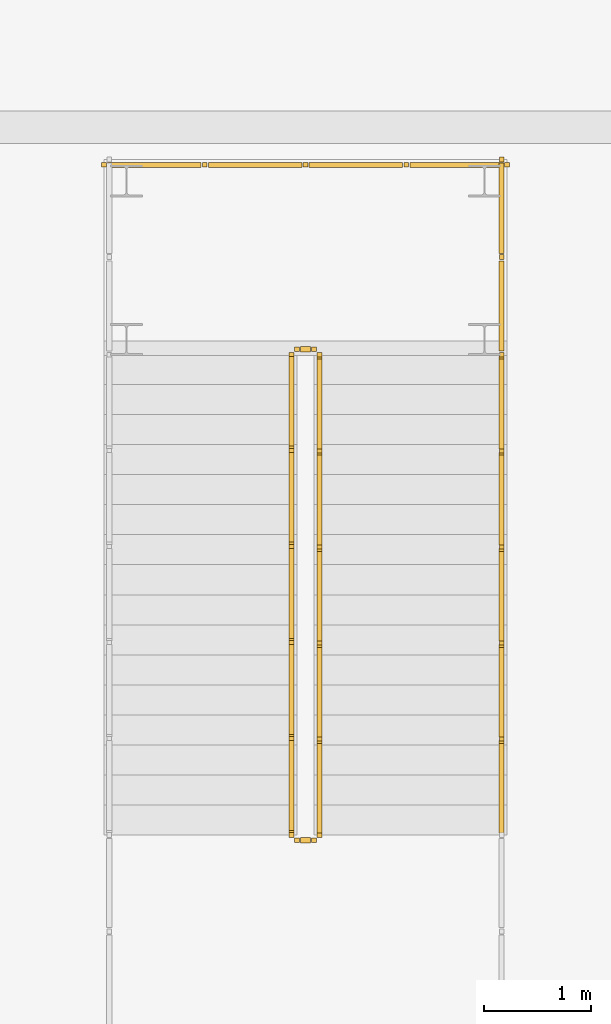
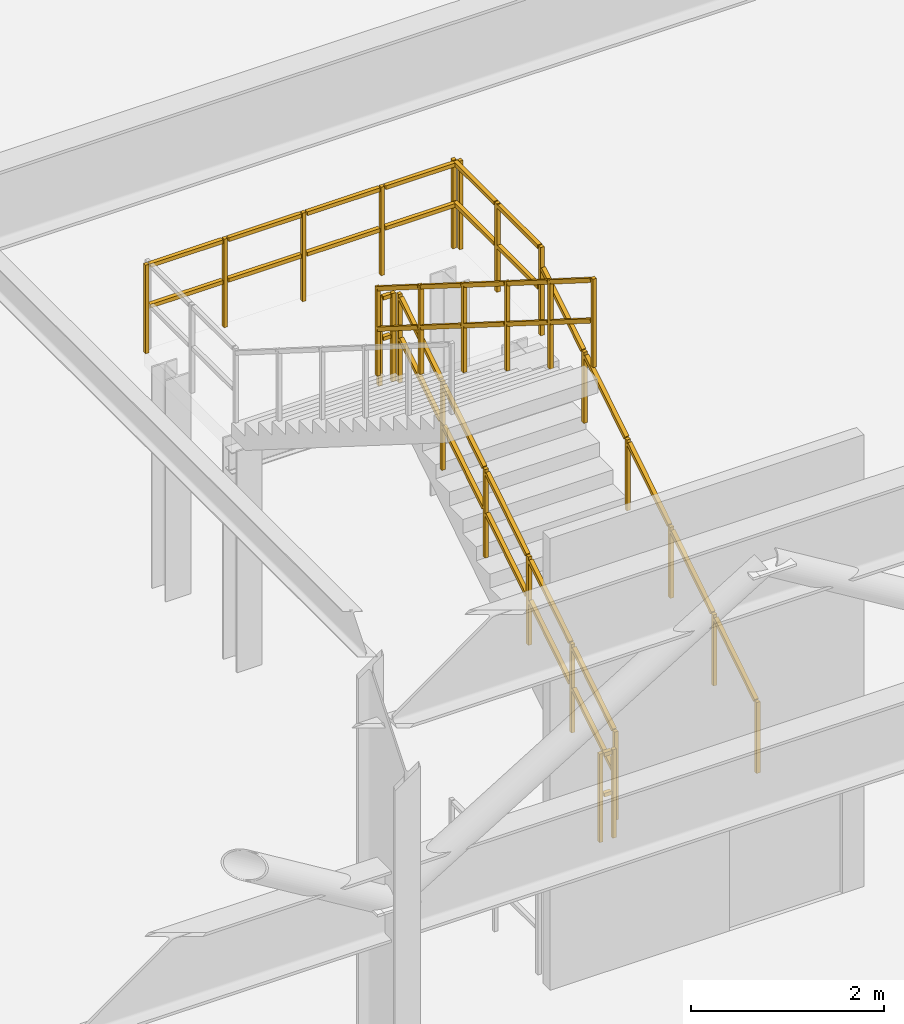
# One storey, part 89 of 113: 7 railings.
"""IFC4 building model written with IfcOpenShell, lengths in metres."""

from ifc_helpers import new_model, si_unit, direction, frame, origin, origin_2d, place, context, subcontext, project, spatial, rectangle, extrude, material, type_object, element, save


model = new_model("IFC4")

# Units and contexts
model_context = context("Model", 3, precision=1e-05, world=origin(), true_north=direction((0.0, 1.0)))
body_context = subcontext(model_context, "Body", "Model", "MODEL_VIEW")
ifc_project = project(units=[si_unit("LENGTHUNIT", "METRE"), si_unit("AREAUNIT", "SQUARE_METRE"), si_unit("VOLUMEUNIT", "CUBIC_METRE"), si_unit("PLANEANGLEUNIT", "RADIAN"), si_unit("MASSUNIT", "GRAM", prefix="KILO")], contexts=[model_context])

# Site, building, storey
site_placement = place(None, origin())
site = spatial("IfcSite", under=ifc_project, at=site_placement, CompositionType="ELEMENT")
building_placement = place(site_placement, origin())
building = spatial("IfcBuilding", under=site, at=building_placement, Name="Myrtia Square Station", CompositionType="ELEMENT")
storey_placement = place(building_placement, origin())
storey = spatial("IfcBuildingStorey", under=building, at=storey_placement, Name="L00", CompositionType="ELEMENT", Elevation=0.0)

# Railings
ifc_material_1 = material(Name="Dark bronze anodised aluminium", Category="aluminium")
railing_type_1 = type_object("IfcRailingType", Name="RL-HANDRAIL-900", PredefinedType="HANDRAIL", material=ifc_material_1)
railing_1_placement = place(storey_placement, frame((51.14990234375, 70.199951171875, 0.176513671875)))
element("IfcRailing", 1, at=railing_1_placement, inside=storey, type_object=railing_type_1, Name="L00 ST67 stair handrail 1", PredefinedType="HANDRAIL", context=body_context, shape_type="SweptSolid", body=[
    extrude(rectangle(XDim=0.048095703125, YDim=0.048095703125, at=origin_2d()), frame((0.0, 0.029296875, 0.894287109375), z_axis=(0.0, 0.845997938375, 0.533186166611), x_axis=(-1.0, 0.0, 0.0)), (0.0, 0.0, 1.0), 0.98974609375),
    extrude(rectangle(XDim=0.048095703125, YDim=0.048095703125, at=origin_2d()), frame((0.0, 0.92529296875, 1.458984375), z_axis=(0.0, 0.845997938375, 0.533186166611), x_axis=(-1.0, 0.0, 0.0)), (0.0, 0.0, 1.0), 0.98974609375),
    extrude(rectangle(XDim=0.048095703125, YDim=0.048095703125, at=origin_2d()), frame((0.0, 1.8212890625, 2.023681640625), z_axis=(0.0, 0.845997938375, 0.533186166611), x_axis=(-1.0, 0.0, 0.0)), (0.0, 0.0, 1.0), 0.98974609375),
    extrude(rectangle(XDim=0.048095703125, YDim=0.048095703125, at=origin_2d()), frame((0.0, 2.71728515625, 2.58837890625), z_axis=(0.0, 0.845997938375, 0.533186166611), x_axis=(-1.0, 0.0, 0.0)), (0.0, 0.0, 1.0), 0.98974609375),
    extrude(rectangle(XDim=0.048095703125, YDim=0.048095703125, at=origin_2d()), frame((0.0, 3.61328125, 3.153076171875), z_axis=(0.0, 0.845997938375, 0.533186166611), x_axis=(-1.0, 0.0, 0.0)), (0.0, 0.0, 1.0), 0.98974609375),
    extrude(rectangle(XDim=0.0439453125, YDim=0.0439453125, at=origin_2d()), origin(), (0.0, 0.0, 1.0), 0.89990234375),
    extrude(rectangle(XDim=0.0439453125, YDim=0.0439453125, at=origin_2d()), frame((0.0, 0.89599609375, 0.564697265625)), (0.0, 0.0, 1.0), 0.89990234375),
    extrude(rectangle(XDim=0.0439453125, YDim=0.0439453125, at=origin_2d()), frame((0.0, 1.7919921875, 1.12939453125)), (0.0, 0.0, 1.0), 0.89990234375),
    extrude(rectangle(XDim=0.0439453125, YDim=0.0439453125, at=origin_2d()), frame((0.0, 2.68798828125, 1.694091796875)), (0.0, 0.0, 1.0), 0.89990234375),
    extrude(rectangle(XDim=0.0439453125, YDim=0.0439453125, at=origin_2d()), frame((0.0, 3.583984375, 2.2587890625)), (0.0, 0.0, 1.0), 0.89990234375),
    extrude(rectangle(XDim=0.0439453125, YDim=0.0439453125, at=origin_2d()), frame((0.0, 4.47998046875, 2.823486328125)), (0.0, 0.0, 1.0), 0.89990234375),
])
ifc_material_2 = material(Name="Wrought iron", Category="steel")
railing_type_2 = type_object("IfcRailingType", Name="RL-INT-GUARD-1100", PredefinedType="BALUSTRADE", material=ifc_material_2)
railing_2_placement = place(storey_placement, frame((49.449951171875, 70.199951171875, 0.176513671875)))
element("IfcRailing", 2, at=railing_2_placement, inside=storey, type_object=railing_type_2, Name="L00 ST67 stair guard 1", PredefinedType="BALUSTRADE", context=body_context, shape_type="SweptSolid", body=[
    extrude(rectangle(XDim=0.048095703125, YDim=0.048095703125, at=origin_2d()), frame((0.0, 0.029296875, 1.114501953125), z_axis=(0.0, 0.845997938375, 0.533186166611), x_axis=(-1.0, 0.0, 0.0)), (0.0, 0.0, 1.0), 0.98974609375),
    extrude(rectangle(XDim=0.048095703125, YDim=0.048095703125, at=origin_2d()), frame((0.0, 0.029296875, 0.600830078125), z_axis=(0.0, 0.845997938375, 0.533186166611), x_axis=(-1.0, 0.0, 0.0)), (0.0, 0.0, 1.0), 0.98974609375),
    extrude(rectangle(XDim=0.048095703125, YDim=0.048095703125, at=origin_2d()), frame((0.0, 0.92529296875, 1.67919921875), z_axis=(0.0, 0.845997938375, 0.533186166611), x_axis=(-1.0, 0.0, 0.0)), (0.0, 0.0, 1.0), 0.98974609375),
    extrude(rectangle(XDim=0.048095703125, YDim=0.048095703125, at=origin_2d()), frame((0.0, 0.92529296875, 1.16552734375), z_axis=(0.0, 0.845997938375, 0.533186166611), x_axis=(-1.0, 0.0, 0.0)), (0.0, 0.0, 1.0), 0.98974609375),
    extrude(rectangle(XDim=0.048095703125, YDim=0.048095703125, at=origin_2d()), frame((0.0, 1.8212890625, 2.243896484375), z_axis=(0.0, 0.845997938375, 0.533186166611), x_axis=(-1.0, 0.0, 0.0)), (0.0, 0.0, 1.0), 0.98974609375),
    extrude(rectangle(XDim=0.048095703125, YDim=0.048095703125, at=origin_2d()), frame((0.0, 1.8212890625, 1.730224609375), z_axis=(0.0, 0.845997938375, 0.533186166611), x_axis=(-1.0, 0.0, 0.0)), (0.0, 0.0, 1.0), 0.98974609375),
    extrude(rectangle(XDim=0.048095703125, YDim=0.048095703125, at=origin_2d()), frame((0.0, 2.71728515625, 2.80859375), z_axis=(0.0, 0.845997938375, 0.533186166611), x_axis=(-1.0, 0.0, 0.0)), (0.0, 0.0, 1.0), 0.98974609375),
    extrude(rectangle(XDim=0.048095703125, YDim=0.048095703125, at=origin_2d()), frame((0.0, 2.71728515625, 2.294921875), z_axis=(0.0, 0.845997938375, 0.533186166611), x_axis=(-1.0, 0.0, 0.0)), (0.0, 0.0, 1.0), 0.98974609375),
    extrude(rectangle(XDim=0.048095703125, YDim=0.048095703125, at=origin_2d()), frame((0.0, 3.61328125, 3.373291015625), z_axis=(0.0, 0.845997938375, 0.533186166611), x_axis=(-1.0, 0.0, 0.0)), (0.0, 0.0, 1.0), 0.98974609375),
    extrude(rectangle(XDim=0.048095703125, YDim=0.048095703125, at=origin_2d()), frame((0.0, 3.61328125, 2.859619140625), z_axis=(0.0, 0.845997938375, 0.533186166611), x_axis=(-1.0, 0.0, 0.0)), (0.0, 0.0, 1.0), 0.98974609375),
    extrude(rectangle(XDim=0.0439453125, YDim=0.0439453125, at=origin_2d()), origin(), (0.0, 0.0, 1.0), 1.1201171875),
    extrude(rectangle(XDim=0.0439453125, YDim=0.0439453125, at=origin_2d()), frame((0.0, 0.89599609375, 0.564697265625)), (0.0, 0.0, 1.0), 1.1201171875),
    extrude(rectangle(XDim=0.0439453125, YDim=0.0439453125, at=origin_2d()), frame((0.0, 1.7919921875, 1.12939453125)), (0.0, 0.0, 1.0), 1.1201171875),
    extrude(rectangle(XDim=0.0439453125, YDim=0.0439453125, at=origin_2d()), frame((0.0, 2.68798828125, 1.694091796875)), (0.0, 0.0, 1.0), 1.1201171875),
    extrude(rectangle(XDim=0.0439453125, YDim=0.0439453125, at=origin_2d()), frame((0.0, 3.583984375, 2.2587890625)), (0.0, 0.0, 1.0), 1.1201171875),
    extrude(rectangle(XDim=0.0439453125, YDim=0.0439453125, at=origin_2d()), frame((0.0, 4.47998046875, 2.823486328125)), (0.0, 0.0, 1.0), 1.1201171875),
])
railing_3_placement = place(storey_placement, frame((49.39990234375, 74.72998046875, 3.0)))
element("IfcRailing", 3, at=railing_3_placement, inside=storey, type_object=railing_type_2, Name="L00 ST67 stair guard 2", PredefinedType="BALUSTRADE", context=body_context, shape_type="SweptSolid", body=[
    extrude(rectangle(XDim=0.048095703125, YDim=0.048095703125, at=origin_2d()), frame((-0.03466796875, 0.0, 1.09619140625), z_axis=(-1.0, 0.0, 0.0), x_axis=(0.0, -1.0, 0.0)), (0.0, 0.0, 1.0), 0.090576171875),
    extrude(rectangle(XDim=0.048095703125, YDim=0.048095703125, at=origin_2d()), frame((-0.03466796875, 0.0, 0.58251953125), z_axis=(-1.0, 0.0, 0.0), x_axis=(0.0, -1.0, 0.0)), (0.0, 0.0, 1.0), 0.090576171875),
    extrude(rectangle(XDim=0.0439453125, YDim=0.0439453125, at=origin_2d()), origin(), (0.0, 0.0, 1.0), 1.1201171875),
    extrude(rectangle(XDim=0.0439453125, YDim=0.0439453125, at=origin_2d()), frame((-0.159912109375, 0.0, 0.0)), (0.0, 0.0, 1.0), 1.1201171875),
])
railing_4_placement = place(storey_placement, frame((51.14990234375, 74.679931640625, 3.0)))
element("IfcRailing", 4, at=railing_4_placement, inside=storey, type_object=railing_type_2, Name="L00 ST67 stair guard 3", PredefinedType="BALUSTRADE", context=body_context, shape_type="SweptSolid", body=[
    extrude(rectangle(XDim=0.048095703125, YDim=0.048095703125, at=origin_2d()), frame((0.0, 0.03466796875, 1.09619140625), z_axis=(0.0, 1.0, 0.0), x_axis=(-1.0, 0.0, 0.0)), (0.0, 0.0, 1.0), 0.8408203125),
    extrude(rectangle(XDim=0.048095703125, YDim=0.048095703125, at=origin_2d()), frame((0.0, 0.03466796875, 0.58251953125), z_axis=(0.0, 1.0, 0.0), x_axis=(-1.0, 0.0, 0.0)), (0.0, 0.0, 1.0), 0.8408203125),
    extrude(rectangle(XDim=0.048095703125, YDim=0.048095703125, at=origin_2d()), frame((0.0, 0.944580078125, 1.09619140625), z_axis=(0.0, 1.0, 0.0), x_axis=(-1.0, 0.0, 0.0)), (0.0, 0.0, 1.0), 0.8408203125),
    extrude(rectangle(XDim=0.048095703125, YDim=0.048095703125, at=origin_2d()), frame((0.0, 0.944580078125, 0.58251953125), z_axis=(0.0, 1.0, 0.0), x_axis=(-1.0, 0.0, 0.0)), (0.0, 0.0, 1.0), 0.8408203125),
    extrude(rectangle(XDim=0.0439453125, YDim=0.0439453125, at=origin_2d()), origin(), (0.0, 0.0, 1.0), 1.1201171875),
    extrude(rectangle(XDim=0.0439453125, YDim=0.0439453125, at=origin_2d()), frame((0.0, 0.91015625, 0.0)), (0.0, 0.0, 1.0), 1.1201171875),
    extrude(rectangle(XDim=0.0439453125, YDim=0.0439453125, at=origin_2d()), frame((0.0, 1.820068359375, 0.0)), (0.0, 0.0, 1.0), 1.1201171875),
])
railing_5_placement = place(storey_placement, frame((51.199951171875, 76.449951171875, 3.0)))
element("IfcRailing", 5, at=railing_5_placement, inside=storey, type_object=railing_type_2, Name="L00 ST67 stair guard 5", PredefinedType="BALUSTRADE", context=body_context, shape_type="SweptSolid", body=[
    extrude(rectangle(XDim=0.048095703125, YDim=0.048095703125, at=origin_2d()), frame((-0.03466796875, 0.0, 1.09619140625), z_axis=(-1.0, 0.0, 0.0), x_axis=(0.0, -1.0, 0.0)), (0.0, 0.0, 1.0), 0.87060546875),
    extrude(rectangle(XDim=0.048095703125, YDim=0.048095703125, at=origin_2d()), frame((-0.03466796875, 0.0, 0.58251953125), z_axis=(-1.0, 0.0, 0.0), x_axis=(0.0, -1.0, 0.0)), (0.0, 0.0, 1.0), 0.87060546875),
    extrude(rectangle(XDim=0.048095703125, YDim=0.048095703125, at=origin_2d()), frame((-0.974609375, 0.0, 1.09619140625), z_axis=(-1.0, 0.0, 0.0), x_axis=(0.0, -1.0, 0.0)), (0.0, 0.0, 1.0), 0.87060546875),
    extrude(rectangle(XDim=0.048095703125, YDim=0.048095703125, at=origin_2d()), frame((-0.974609375, 0.0, 0.58251953125), z_axis=(-1.0, 0.0, 0.0), x_axis=(0.0, -1.0, 0.0)), (0.0, 0.0, 1.0), 0.87060546875),
    extrude(rectangle(XDim=0.048095703125, YDim=0.048095703125, at=origin_2d()), frame((-1.91455078125, 0.0, 1.09619140625), z_axis=(-1.0, 0.0, 0.0), x_axis=(0.0, -1.0, 0.0)), (0.0, 0.0, 1.0), 0.87060546875),
    extrude(rectangle(XDim=0.048095703125, YDim=0.048095703125, at=origin_2d()), frame((-1.91455078125, 0.0, 0.58251953125), z_axis=(-1.0, 0.0, 0.0), x_axis=(0.0, -1.0, 0.0)), (0.0, 0.0, 1.0), 0.87060546875),
    extrude(rectangle(XDim=0.048095703125, YDim=0.048095703125, at=origin_2d()), frame((-2.854736328125, 0.0, 1.09619140625), z_axis=(-1.0, 0.0, 0.0), x_axis=(0.0, -1.0, 0.0)), (0.0, 0.0, 1.0), 0.87060546875),
    extrude(rectangle(XDim=0.048095703125, YDim=0.048095703125, at=origin_2d()), frame((-2.854736328125, 0.0, 0.58251953125), z_axis=(-1.0, 0.0, 0.0), x_axis=(0.0, -1.0, 0.0)), (0.0, 0.0, 1.0), 0.87060546875),
    extrude(rectangle(XDim=0.0439453125, YDim=0.0439453125, at=origin_2d()), origin(), (0.0, 0.0, 1.0), 1.1201171875),
    extrude(rectangle(XDim=0.0439453125, YDim=0.0439453125, at=origin_2d()), frame((-0.93994140625, 0.0, 0.0)), (0.0, 0.0, 1.0), 1.1201171875),
    extrude(rectangle(XDim=0.0439453125, YDim=0.0439453125, at=origin_2d()), frame((-1.8798828125, 0.0, 0.0)), (0.0, 0.0, 1.0), 1.1201171875),
    extrude(rectangle(XDim=0.0439453125, YDim=0.0439453125, at=origin_2d()), frame((-2.820068359375, 0.0, 0.0)), (0.0, 0.0, 1.0), 1.1201171875),
    extrude(rectangle(XDim=0.0439453125, YDim=0.0439453125, at=origin_2d()), frame((-3.760009765625, 0.0, 0.0)), (0.0, 0.0, 1.0), 1.1201171875),
])
railing_6_placement = place(storey_placement, frame((49.18994140625, 74.679931640625, 3.176513671875)))
element("IfcRailing", 6, at=railing_6_placement, inside=storey, type_object=railing_type_2, Name="L00 ST67 stair guard 6", PredefinedType="BALUSTRADE", context=body_context, shape_type="SweptSolid", body=[
    extrude(rectangle(XDim=0.048095703125, YDim=0.048095703125, at=origin_2d()), frame((0.0, -0.029296875, 1.114501953125), z_axis=(0.0, -0.845997938375, 0.533186166611), x_axis=(1.0, 0.0, 0.0)), (0.0, 0.0, 1.0), 0.98974609375),
    extrude(rectangle(XDim=0.048095703125, YDim=0.048095703125, at=origin_2d()), frame((0.0, -0.029296875, 0.600830078125), z_axis=(0.0, -0.845997938375, 0.533186166611), x_axis=(1.0, 0.0, 0.0)), (0.0, 0.0, 1.0), 0.98974609375),
    extrude(rectangle(XDim=0.048095703125, YDim=0.048095703125, at=origin_2d()), frame((0.0, -0.92529296875, 1.67919921875), z_axis=(0.0, -0.845997938375, 0.533186166611), x_axis=(1.0, 0.0, 0.0)), (0.0, 0.0, 1.0), 0.98974609375),
    extrude(rectangle(XDim=0.048095703125, YDim=0.048095703125, at=origin_2d()), frame((0.0, -0.92529296875, 1.16552734375), z_axis=(0.0, -0.845997938375, 0.533186166611), x_axis=(1.0, 0.0, 0.0)), (0.0, 0.0, 1.0), 0.98974609375),
    extrude(rectangle(XDim=0.048095703125, YDim=0.048095703125, at=origin_2d()), frame((0.0, -1.8212890625, 2.243896484375), z_axis=(0.0, -0.845997938375, 0.533186166611), x_axis=(1.0, 0.0, 0.0)), (0.0, 0.0, 1.0), 0.98974609375),
    extrude(rectangle(XDim=0.048095703125, YDim=0.048095703125, at=origin_2d()), frame((0.0, -1.8212890625, 1.730224609375), z_axis=(0.0, -0.845997938375, 0.533186166611), x_axis=(1.0, 0.0, 0.0)), (0.0, 0.0, 1.0), 0.98974609375),
    extrude(rectangle(XDim=0.048095703125, YDim=0.048095703125, at=origin_2d()), frame((0.0, -2.71728515625, 2.80859375), z_axis=(0.0, -0.845997938375, 0.533186166611), x_axis=(1.0, 0.0, 0.0)), (0.0, 0.0, 1.0), 0.98974609375),
    extrude(rectangle(XDim=0.048095703125, YDim=0.048095703125, at=origin_2d()), frame((0.0, -2.71728515625, 2.294921875), z_axis=(0.0, -0.845997938375, 0.533186166611), x_axis=(1.0, 0.0, 0.0)), (0.0, 0.0, 1.0), 0.98974609375),
    extrude(rectangle(XDim=0.048095703125, YDim=0.048095703125, at=origin_2d()), frame((0.0, -3.61328125, 3.373291015625), z_axis=(0.0, -0.845997938375, 0.533186166611), x_axis=(1.0, 0.0, 0.0)), (0.0, 0.0, 1.0), 0.98974609375),
    extrude(rectangle(XDim=0.048095703125, YDim=0.048095703125, at=origin_2d()), frame((0.0, -3.61328125, 2.859619140625), z_axis=(0.0, -0.845997938375, 0.533186166611), x_axis=(1.0, 0.0, 0.0)), (0.0, 0.0, 1.0), 0.98974609375),
    extrude(rectangle(XDim=0.0439453125, YDim=0.0439453125, at=origin_2d()), origin(), (0.0, 0.0, 1.0), 1.1201171875),
    extrude(rectangle(XDim=0.0439453125, YDim=0.0439453125, at=origin_2d()), frame((0.0, -0.89599609375, 0.564697265625)), (0.0, 0.0, 1.0), 1.1201171875),
    extrude(rectangle(XDim=0.0439453125, YDim=0.0439453125, at=origin_2d()), frame((0.0, -1.7919921875, 1.12939453125)), (0.0, 0.0, 1.0), 1.1201171875),
    extrude(rectangle(XDim=0.0439453125, YDim=0.0439453125, at=origin_2d()), frame((0.0, -2.68798828125, 1.694091796875)), (0.0, 0.0, 1.0), 1.1201171875),
    extrude(rectangle(XDim=0.0439453125, YDim=0.0439453125, at=origin_2d()), frame((0.0, -3.583984375, 2.2587890625)), (0.0, 0.0, 1.0), 1.1201171875),
    extrude(rectangle(XDim=0.0439453125, YDim=0.0439453125, at=origin_2d()), frame((0.0, -4.47998046875, 2.823486328125)), (0.0, 0.0, 1.0), 1.1201171875),
])
railing_7_placement = place(storey_placement, frame((49.39990234375, 70.14990234375, 0.0)))
element("IfcRailing", 7, at=railing_7_placement, inside=storey, type_object=railing_type_2, Name="L00 ST67 stair guard 7", PredefinedType="BALUSTRADE", context=body_context, shape_type="SweptSolid", body=[
    extrude(rectangle(XDim=0.048095703125, YDim=0.048095703125, at=origin_2d()), frame((-0.03466796875, 0.0, 1.09619140625), z_axis=(-1.0, 0.0, 0.0), x_axis=(0.0, -1.0, 0.0)), (0.0, 0.0, 1.0), 0.090576171875),
    extrude(rectangle(XDim=0.048095703125, YDim=0.048095703125, at=origin_2d()), frame((-0.03466796875, 0.0, 0.58251953125), z_axis=(-1.0, 0.0, 0.0), x_axis=(0.0, -1.0, 0.0)), (0.0, 0.0, 1.0), 0.090576171875),
    extrude(rectangle(XDim=0.0439453125, YDim=0.0439453125, at=origin_2d()), origin(), (0.0, 0.0, 1.0), 1.1201171875),
    extrude(rectangle(XDim=0.0439453125, YDim=0.0439453125, at=origin_2d()), frame((-0.159912109375, 0.0, 0.0)), (0.0, 0.0, 1.0), 1.1201171875),
])

save(model, "model.ifc")
